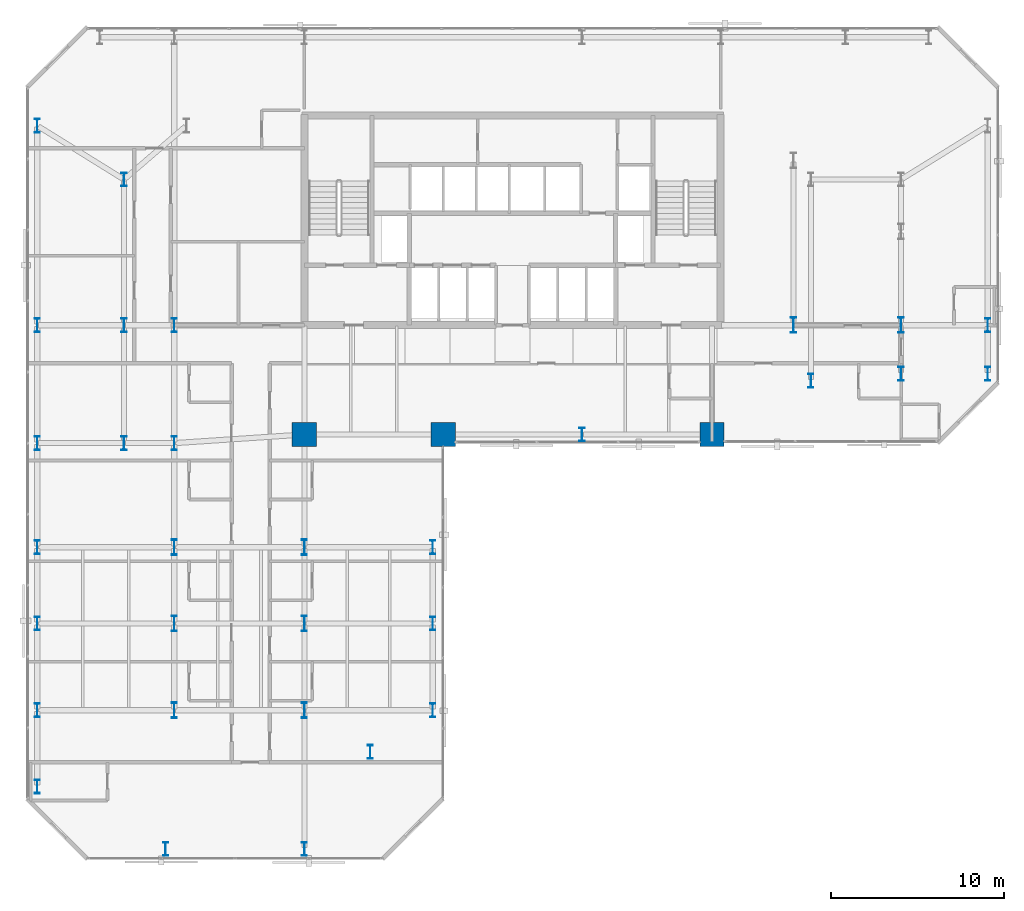
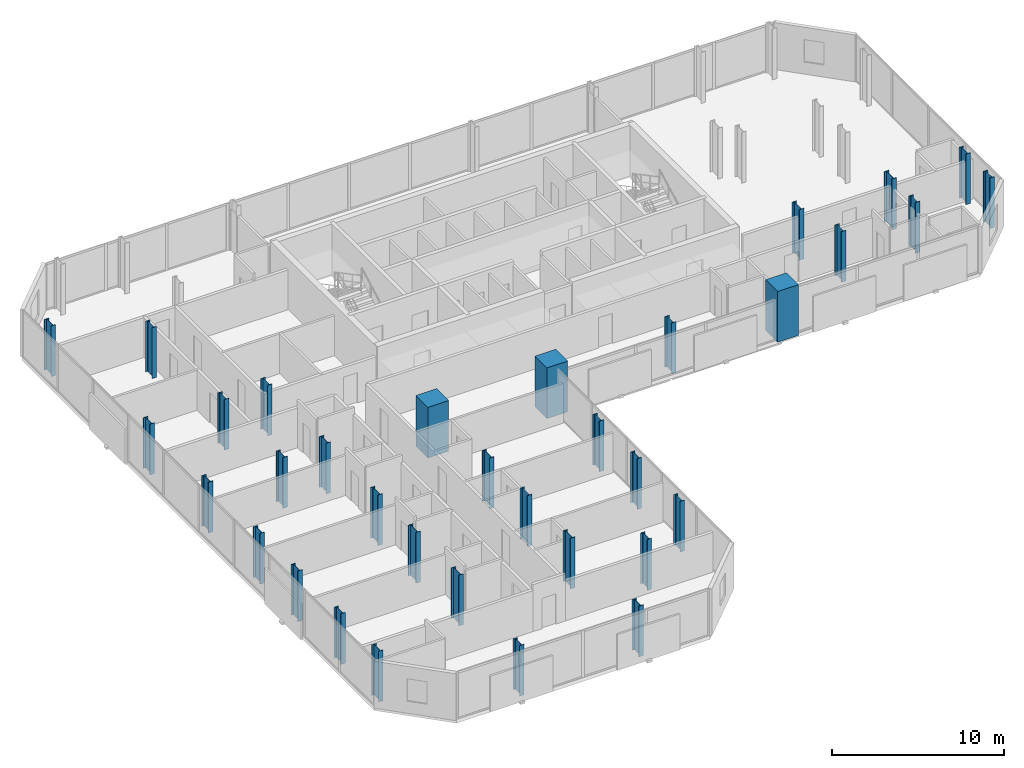
# One storey, part 1 of 32: 34 columns.
"""IFC4 building model written with IfcOpenShell, lengths in metres."""

from ifc_helpers import new_model, si_unit, direction, frame, origin, origin_2d, place, context, subcontext, project, spatial, rectangle, i_section, extrude, material, material_profile, profile_set, type_object, element, save


model = new_model("IFC4")

# Units and contexts
model_context = context("Model", 3, precision=1e-05, world=origin(), true_north=direction((0.0, 1.0)))
body_context = subcontext(model_context, "Body", "Model", "MODEL_VIEW")
ifc_project = project(units=[si_unit("LENGTHUNIT", "METRE"), si_unit("AREAUNIT", "SQUARE_METRE"), si_unit("VOLUMEUNIT", "CUBIC_METRE"), si_unit("PLANEANGLEUNIT", "RADIAN"), si_unit("MASSUNIT", "GRAM", prefix="KILO")], contexts=[model_context])

# Site, building, storey
site_placement = place(None, origin())
site = spatial("IfcSite", under=ifc_project, at=site_placement, CompositionType="ELEMENT")
building_placement = place(site_placement, origin())
building = spatial("IfcBuilding", under=site, at=building_placement, Name="Catumbela Crestline Tower", CompositionType="ELEMENT")
storey_placement = place(building_placement, frame((0.0, 0.0, 69.0)))
storey = spatial("IfcBuildingStorey", under=building, at=storey_placement, Name="L17", CompositionType="ELEMENT", Elevation=69.0)

# Columns
ifc_material_1 = material(Name="Concrete C60/75", Category="concrete")
ifc_material_profile_1 = material_profile(ifc_material_1, rectangle(XDim=1.4, YDim=1.4, at=origin_2d()), Name="RC 1400x1400")
ifc_profile_set_1 = profile_set([ifc_material_profile_1], Name="Concrete C60/75")
column_type_1 = type_object("IfcColumnType", Name="C-RC1400-C60", PredefinedType="COLUMN", material=ifc_profile_set_1)
for number, where, z_axis, x_axis, name in (
    (1, (16.0, 24.5, 0.0), (0.0, 0.0, 1.0), (1.0, 0.0, 0.0), "L17 Column C-16-24 (RC 1400x1400)"),
    (2, (24.0, 24.5, 0.0), (0.0, 0.0, 1.0), (1.0, 0.0, 0.0), "L17 Column C-24-24 (RC 1400x1400)"),
    (3, (39.5, 24.5, 0.0), (0.0, 0.0, 1.0), (1.0, 0.0, 0.0), "L17 Column C-40-24 (RC 1400x1400)"),
):
    element("IfcColumn", number, at=place(storey_placement, frame(where, z_axis=z_axis, x_axis=x_axis)), inside=storey, type_object=column_type_1, Name=name, PredefinedType="COLUMN", context=body_context, shape_type="SweptSolid", body=[
        extrude(rectangle(XDim=1.4, YDim=1.4, at=origin_2d()), origin(), (0.0, 0.0, 1.0), 3.6),
    ])
ifc_material_2 = material(Name="Structural steel S460M", Category="steel")
ifc_material_profile_2 = material_profile(ifc_material_2, i_section(OverallWidth=0.3, OverallDepth=0.8, WebThickness=0.0175, FlangeThickness=0.033, FilletRadius=0.03, at=origin_2d()), Name="HEB 800")
ifc_profile_set_2 = profile_set([ifc_material_profile_2], Name="Structural steel S460M")
column_type_2 = type_object("IfcColumnType", Name="C-ST-HEB800", PredefinedType="COLUMN", material=ifc_profile_set_2)
for number, where, z_axis, x_axis, name in (
    (4, (8.5, 24.0, 0.0), (0.0, 0.0, 1.0), (1.0, 0.0, 0.0), "L17 Column C-08-24 (HEB 800)"),
    (5, (32.0, 24.5, 0.0), (0.0, 0.0, 1.0), (1.0, 0.0, 0.0), "L17 Column C-32-24 (HEB 800)"),
    (6, (5.6, 24.0, 0.0), (0.0, 0.0, 1.0), (1.0, 0.0, 0.0), "L17 Column C-05-24 (HEB 800)"),
    (7, (5.6, 30.8, 0.0), (0.0, 0.0, 1.0), (1.0, 0.0, 0.0), "L17 Column C-05-31 (HEB 800)"),
    (8, (5.6, 39.2, 0.0), (0.0, 0.0, 1.0), (1.0, 0.0, 0.0), "L17 Column C-05-43 (HEB 800)"),
    (9, (8.5, 30.8, 0.0), (0.0, 0.0, 1.0), (1.0, 0.0, 0.0), "L17 Column C-08-31 (HEB 800)"),
    (10, (45.2, 27.6, 0.0), (0.0, 0.0, 1.0), (1.0, 0.0, 0.0), "L17 Column C-46-24 (HEB 800)"),
    (11, (0.6, 24.0, 0.0), (0.0, 0.0, 1.0), (1.0, 0.0, 0.0), "L17 Column C-00-24 (HEB 800)"),
    (12, (0.6, 30.8, 0.0), (0.0, 0.0, 1.0), (1.0, 0.0, 0.0), "L17 Column C-00-31 (HEB 800)"),
    (13, (0.6, 42.3, 0.0), (0.0, 0.0, 1.0), (1.0, 0.0, 0.0), "L17 Column C-00-43 (HEB 800)"),
    (14, (50.4, 28.0, 0.0), (0.0, 0.0, 1.0), (1.0, 0.0, 0.0), "L17 Column C-51-24 (HEB 800)"),
    (15, (55.4, 28.0, 0.0), (0.0, 0.0, 1.0), (1.0, 0.0, 0.0), "L17 Column C-56-24 (HEB 800)"),
    (16, (55.4, 30.8, 0.0), (0.0, 0.0, 1.0), (1.0, 0.0, 0.0), "L17 Column C-56-31 (HEB 800)"),
    (17, (0.6, 8.6, 0.0), (0.0, 0.0, 1.0), (1.0, 0.0, 0.0), "L17 Column C-00-05 (HEB 800)"),
    (18, (0.6, 13.6, 0.0), (0.0, 0.0, 1.0), (1.0, 0.0, 0.0), "L17 Column C-00-10 (HEB 800)"),
    (19, (0.6, 18.0, 0.0), (0.0, 0.0, 1.0), (1.0, 0.0, 0.0), "L17 Column C-00-16 (HEB 800)"),
    (20, (0.6, 4.2, 0.0), (0.0, 0.0, 1.0), (1.0, 0.0, 0.0), "L17 Column C-00-03 (HEB 800)"),
    (21, (8.0, 0.6, 0.0), (0.0, 0.0, 1.0), (1.0, 0.0, 0.0), "L17 Column C-08-00 (HEB 800)"),
    (22, (16.0, 0.6, 0.0), (0.0, 0.0, 1.0), (1.0, 0.0, 0.0), "L17 Column C-16-00 (HEB 800)"),
    (23, (19.8, 6.2, 0.0), (0.0, 0.0, 1.0), (1.0, 0.0, 0.0), "L17 Column C-24-05 (HEB 800)"),
    (24, (23.4, 8.6, 0.0), (0.0, 0.0, 1.0), (1.0, 0.0, 0.0), "L17 Column C-23-08 (HEB 800)"),
    (25, (23.4, 13.6, 0.0), (0.0, 0.0, 1.0), (1.0, 0.0, 0.0), "L17 Column C-24-10 (HEB 800)"),
    (26, (23.4, 18.0, 0.0), (0.0, 0.0, 1.0), (1.0, 0.0, 0.0), "L17 Column C-24-16 (HEB 800)"),
):
    element("IfcColumn", number, at=place(storey_placement, frame(where, z_axis=z_axis, x_axis=x_axis)), inside=storey, type_object=column_type_2, Name=name, PredefinedType="COLUMN", context=body_context, shape_type="SweptSolid", body=[
        extrude(i_section(OverallWidth=0.3, OverallDepth=0.8, WebThickness=0.0175, FlangeThickness=0.033, FilletRadius=0.03, at=origin_2d()), origin(), (0.0, 0.0, 1.0), 3.6),
    ])
ifc_material_profile_3 = material_profile(ifc_material_2, i_section(OverallWidth=0.3, OverallDepth=0.9, WebThickness=0.0185, FlangeThickness=0.035, FilletRadius=0.03, at=origin_2d()), Name="HEB 900")
ifc_profile_set_3 = profile_set([ifc_material_profile_3], Name="Structural steel S460M")
column_type_3 = type_object("IfcColumnType", Name="C-ST-HEB900", PredefinedType="COLUMN", material=ifc_profile_set_3)
for number, where, z_axis, x_axis, name in (
    (27, (8.5, 8.6, 0.0), (0.0, 0.0, 1.0), (1.0, 0.0, 0.0), "L17 Column CT-05-05 (HEB 900)"),
    (28, (16.0, 8.6, 0.0), (0.0, 0.0, 1.0), (1.0, 0.0, 0.0), "L17 Column CT-14-05 (HEB 900)"),
    (29, (8.5, 13.6, 0.0), (0.0, 0.0, 1.0), (1.0, 0.0, 0.0), "L17 Column CT-05-10 (HEB 900)"),
    (30, (16.0, 13.6, 0.0), (0.0, 0.0, 1.0), (1.0, 0.0, 0.0), "L17 Column CT-14-10 (HEB 900)"),
    (31, (8.5, 18.0, 0.0), (0.0, 0.0, 1.0), (1.0, 0.0, 0.0), "L17 Column CT-05-16 (HEB 900)"),
    (32, (16.0, 18.0, 0.0), (0.0, 0.0, 1.0), (1.0, 0.0, 0.0), "L17 Column CT-14-16 (HEB 900)"),
    (33, (44.2, 30.8, 0.0), (0.0, 0.0, 1.0), (1.0, 0.0, 0.0), "L17 Column CT-46-31 (HEB 900)"),
    (34, (50.4, 30.8, 0.0), (0.0, 0.0, 1.0), (1.0, 0.0, 0.0), "L17 Column CT-51-31 (HEB 900)"),
):
    element("IfcColumn", number, at=place(storey_placement, frame(where, z_axis=z_axis, x_axis=x_axis)), inside=storey, type_object=column_type_3, Name=name, PredefinedType="COLUMN", context=body_context, shape_type="SweptSolid", body=[
        extrude(i_section(OverallWidth=0.3, OverallDepth=0.9, WebThickness=0.0185, FlangeThickness=0.035, FilletRadius=0.03, at=origin_2d()), origin(), (0.0, 0.0, 1.0), 3.6),
    ])

save(model, "model.ifc")
